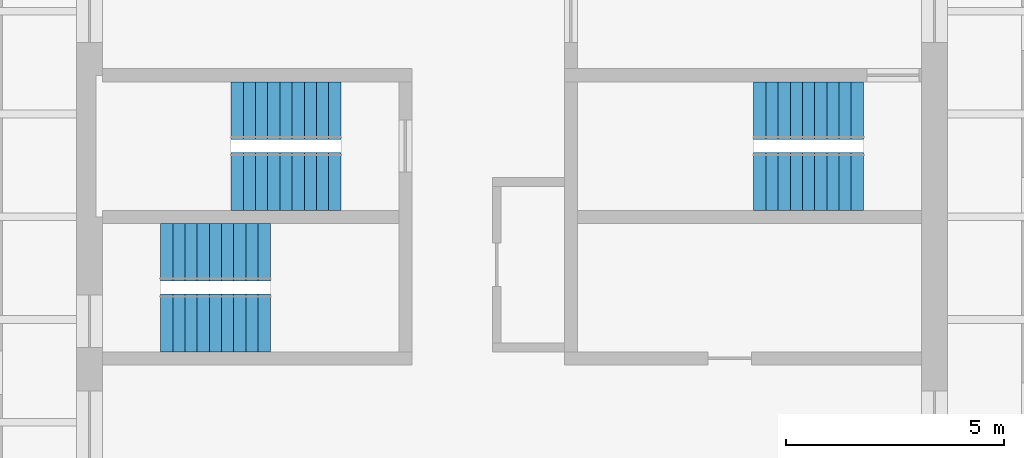
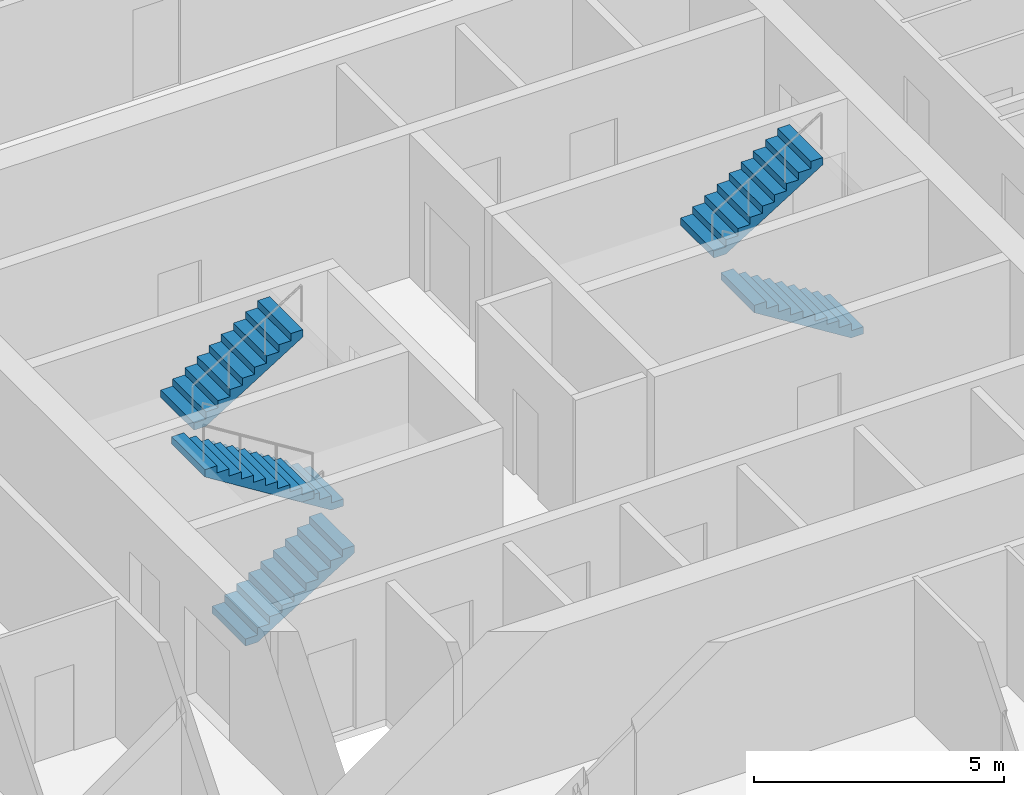
# One storey, part 8 of 9: 6 stair flights, 3 elements without a shape of their own.
"""IFC4 building model written with IfcOpenShell, lengths in metres."""

from ifc_helpers import new_model, si_unit, direction, frame, origin, place, context, subcontext, project, spatial, polyline, outline, extrude, material, type_object, element, aggregate, save


model = new_model("IFC4")

# Units and contexts
model_context = context("Model", 3, precision=1e-05, world=origin(), true_north=direction((0.0, 1.0)))
body_context = subcontext(model_context, "Body", "Model", "MODEL_VIEW")
ifc_project = project(units=[si_unit("LENGTHUNIT", "METRE"), si_unit("AREAUNIT", "SQUARE_METRE"), si_unit("VOLUMEUNIT", "CUBIC_METRE"), si_unit("PLANEANGLEUNIT", "RADIAN"), si_unit("MASSUNIT", "GRAM", prefix="KILO")], contexts=[model_context])

# Site, building, storey
site_placement = place(None, origin())
site = spatial("IfcSite", under=ifc_project, at=site_placement, CompositionType="ELEMENT")
building_placement = place(site_placement, origin())
building = spatial("IfcBuilding", under=site, at=building_placement, Name="Turquesa Mirador Hotel Tower", CompositionType="ELEMENT")
storey_placement = place(building_placement, frame((0.0, 0.0, 210.800048828125)))
storey = spatial("IfcBuildingStorey", under=building, at=storey_placement, Name="L57", CompositionType="ELEMENT", Elevation=210.800048828125)

# Stair, stair flights
ifc_material_1 = material(Name="Concrete C35/45", Category="concrete")
stair_type = type_object("IfcStairType", Name="ESCAPE STAIR CORE", PredefinedType="HALF_TURN_STAIR", material=ifc_material_1)
stair_1_placement = place(storey_placement, origin())
stair_1 = element("IfcStair", 1, at=stair_1_placement, inside=storey, type_object=stair_type, Name="Stair ST1 L57 to L58", PredefinedType="HALF_TURN_STAIR")
ifc_material_2 = material(Name="Concrete C35/45 precast flight", Category="concrete")
stair_flight_type = type_object("IfcStairFlightType", Name="STAIR FLIGHT 1330", PredefinedType="STRAIGHT", material=ifc_material_2)
stair_flight_1_placement = place(storey_placement, frame((51.070068359375, 45.81494140625, 0.0), z_axis=(0.0, 0.0, 1.0), x_axis=(-1.0, 0.0, 0.0)))
stair_flight_1 = element("IfcStairFlight", 2, at=stair_flight_1_placement, type_object=stair_flight_type, Name="ST1 flight 1", NumberOfRisers=10, NumberOfTreads=9, PredefinedType="STRAIGHT", RiserHeight=0.175, TreadLength=0.28, context=body_context, shape_type="SweptSolid", body=[
    extrude(outline(polyline([(0.0, 0.0), (0.0, 0.175048828125), (0.280029296875, 0.175048828125), (0.280029296875, 0.35009765625), (0.56005859375, 0.35009765625), (0.56005859375, 0.52490234375), (0.840087890625, 0.52490234375), (0.840087890625, 0.699951171875), (1.1201171875, 0.699951171875), (1.1201171875, 0.875), (1.39990234375, 0.875), (1.39990234375, 1.050048828125), (1.679931640625, 1.050048828125), (1.679931640625, 1.22509765625), (1.9599609375, 1.22509765625), (1.9599609375, 1.39990234375), (2.239990234375, 1.39990234375), (2.239990234375, 1.574951171875), (2.52001953125, 1.574951171875), (2.52001953125, 1.75), (2.52001953125, 1.398193359375), (0.28271484375, 0.0), (0.0, 0.0)])), frame((0.0, 0.6650390625, 0.0), z_axis=(0.0, -1.0, 0.0), x_axis=(1.0, 0.0, 0.0)), (0.0, 0.0, 1.0), 1.330078125),
])
stair_flight_2_placement = place(storey_placement, frame((48.550048828125, 47.43505859375, 1.75), z_axis=(0.0, 0.0, 1.0), x_axis=(1.0, 0.0, 0.0)))
stair_flight_2 = element("IfcStairFlight", 3, at=stair_flight_2_placement, type_object=stair_flight_type, Name="ST1 flight 2", NumberOfRisers=10, NumberOfTreads=9, PredefinedType="STRAIGHT", RiserHeight=0.175, TreadLength=0.28, context=body_context, shape_type="SweptSolid", body=[
    extrude(outline(polyline([(0.0, 0.0), (0.0, 0.175048828125), (0.280029296875, 0.175048828125), (0.280029296875, 0.35009765625), (0.56005859375, 0.35009765625), (0.56005859375, 0.52490234375), (0.840087890625, 0.52490234375), (0.840087890625, 0.699951171875), (1.1201171875, 0.699951171875), (1.1201171875, 0.875), (1.39990234375, 0.875), (1.39990234375, 1.050048828125), (1.679931640625, 1.050048828125), (1.679931640625, 1.22509765625), (1.9599609375, 1.22509765625), (1.9599609375, 1.39990234375), (2.239990234375, 1.39990234375), (2.239990234375, 1.574951171875), (2.52001953125, 1.574951171875), (2.52001953125, 1.75), (2.52001953125, 1.398193359375), (0.28271484375, 0.0), (0.0, 0.0)])), frame((0.0, 0.6650390625, 0.0), z_axis=(0.0, -1.0, 0.0), x_axis=(1.0, 0.0, 0.0)), (0.0, 0.0, 1.0), 1.330078125),
])
aggregate(stair_1, [stair_flight_1, stair_flight_2])

stair_2_placement = place(storey_placement, origin())
stair_2 = element("IfcStair", 4, at=stair_2_placement, inside=storey, type_object=stair_type, Name="Stair ST2 L57 to L58", PredefinedType="HALF_TURN_STAIR")
stair_flight_3_placement = place(storey_placement, frame((46.929931640625, 42.56494140625, 0.0), z_axis=(0.0, 0.0, 1.0), x_axis=(1.0, 0.0, 0.0)))
stair_flight_3 = element("IfcStairFlight", 5, at=stair_flight_3_placement, type_object=stair_flight_type, Name="ST2 flight 1", NumberOfRisers=10, NumberOfTreads=9, PredefinedType="STRAIGHT", RiserHeight=0.175, TreadLength=0.28, context=body_context, shape_type="SweptSolid", body=[
    extrude(outline(polyline([(0.0, 0.0), (0.0, 0.175048828125), (0.280029296875, 0.175048828125), (0.280029296875, 0.35009765625), (0.56005859375, 0.35009765625), (0.56005859375, 0.52490234375), (0.840087890625, 0.52490234375), (0.840087890625, 0.699951171875), (1.1201171875, 0.699951171875), (1.1201171875, 0.875), (1.39990234375, 0.875), (1.39990234375, 1.050048828125), (1.679931640625, 1.050048828125), (1.679931640625, 1.22509765625), (1.9599609375, 1.22509765625), (1.9599609375, 1.39990234375), (2.239990234375, 1.39990234375), (2.239990234375, 1.574951171875), (2.52001953125, 1.574951171875), (2.52001953125, 1.75), (2.52001953125, 1.398193359375), (0.28271484375, 0.0), (0.0, 0.0)])), frame((0.0, 0.6650390625, 0.0), z_axis=(0.0, -1.0, 0.0), x_axis=(1.0, 0.0, 0.0)), (0.0, 0.0, 1.0), 1.330078125),
])
stair_flight_4_placement = place(storey_placement, frame((49.449951171875, 44.18505859375, 1.75), z_axis=(0.0, 0.0, 1.0), x_axis=(-1.0, 0.0, 0.0)))
stair_flight_4 = element("IfcStairFlight", 6, at=stair_flight_4_placement, type_object=stair_flight_type, Name="ST2 flight 2", NumberOfRisers=10, NumberOfTreads=9, PredefinedType="STRAIGHT", RiserHeight=0.175, TreadLength=0.28, context=body_context, shape_type="SweptSolid", body=[
    extrude(outline(polyline([(0.0, 0.0), (0.0, 0.175048828125), (0.280029296875, 0.175048828125), (0.280029296875, 0.35009765625), (0.56005859375, 0.35009765625), (0.56005859375, 0.52490234375), (0.840087890625, 0.52490234375), (0.840087890625, 0.699951171875), (1.1201171875, 0.699951171875), (1.1201171875, 0.875), (1.39990234375, 0.875), (1.39990234375, 1.050048828125), (1.679931640625, 1.050048828125), (1.679931640625, 1.22509765625), (1.9599609375, 1.22509765625), (1.9599609375, 1.39990234375), (2.239990234375, 1.39990234375), (2.239990234375, 1.574951171875), (2.52001953125, 1.574951171875), (2.52001953125, 1.75), (2.52001953125, 1.398193359375), (0.28271484375, 0.0), (0.0, 0.0)])), frame((0.0, 0.6650390625, 0.0), z_axis=(0.0, -1.0, 0.0), x_axis=(1.0, 0.0, 0.0)), (0.0, 0.0, 1.0), 1.330078125),
])
aggregate(stair_2, [stair_flight_3, stair_flight_4])

stair_3_placement = place(storey_placement, origin())
stair_3 = element("IfcStair", 7, at=stair_3_placement, inside=storey, type_object=stair_type, Name="Stair ST3 L57 to L58", PredefinedType="HALF_TURN_STAIR")
stair_flight_5_placement = place(storey_placement, frame((63.070068359375, 45.81494140625, 0.0), z_axis=(0.0, 0.0, 1.0), x_axis=(-1.0, 0.0, 0.0)))
stair_flight_5 = element("IfcStairFlight", 8, at=stair_flight_5_placement, type_object=stair_flight_type, Name="ST3 flight 1", NumberOfRisers=10, NumberOfTreads=9, PredefinedType="STRAIGHT", RiserHeight=0.175, TreadLength=0.28, context=body_context, shape_type="SweptSolid", body=[
    extrude(outline(polyline([(0.0, 0.0), (0.0, 0.175048828125), (0.280029296875, 0.175048828125), (0.280029296875, 0.35009765625), (0.56005859375, 0.35009765625), (0.56005859375, 0.52490234375), (0.840087890625, 0.52490234375), (0.840087890625, 0.699951171875), (1.1201171875, 0.699951171875), (1.1201171875, 0.875), (1.39990234375, 0.875), (1.39990234375, 1.050048828125), (1.679931640625, 1.050048828125), (1.679931640625, 1.22509765625), (1.9599609375, 1.22509765625), (1.9599609375, 1.39990234375), (2.239990234375, 1.39990234375), (2.239990234375, 1.574951171875), (2.52001953125, 1.574951171875), (2.52001953125, 1.75), (2.52001953125, 1.398193359375), (0.28271484375, 0.0), (0.0, 0.0)])), frame((0.0, 0.6650390625, 0.0), z_axis=(0.0, -1.0, 0.0), x_axis=(1.0, 0.0, 0.0)), (0.0, 0.0, 1.0), 1.330078125),
])
stair_flight_6_placement = place(storey_placement, frame((60.550048828125, 47.43505859375, 1.75), z_axis=(0.0, 0.0, 1.0), x_axis=(1.0, 0.0, 0.0)))
stair_flight_6 = element("IfcStairFlight", 9, at=stair_flight_6_placement, type_object=stair_flight_type, Name="ST3 flight 2", NumberOfRisers=10, NumberOfTreads=9, PredefinedType="STRAIGHT", RiserHeight=0.175, TreadLength=0.28, context=body_context, shape_type="SweptSolid", body=[
    extrude(outline(polyline([(0.0, 0.0), (0.0, 0.175048828125), (0.280029296875, 0.175048828125), (0.280029296875, 0.35009765625), (0.56005859375, 0.35009765625), (0.56005859375, 0.52490234375), (0.840087890625, 0.52490234375), (0.840087890625, 0.699951171875), (1.1201171875, 0.699951171875), (1.1201171875, 0.875), (1.39990234375, 0.875), (1.39990234375, 1.050048828125), (1.679931640625, 1.050048828125), (1.679931640625, 1.22509765625), (1.9599609375, 1.22509765625), (1.9599609375, 1.39990234375), (2.239990234375, 1.39990234375), (2.239990234375, 1.574951171875), (2.52001953125, 1.574951171875), (2.52001953125, 1.75), (2.52001953125, 1.398193359375), (0.28271484375, 0.0), (0.0, 0.0)])), frame((0.0, 0.6650390625, 0.0), z_axis=(0.0, -1.0, 0.0), x_axis=(1.0, 0.0, 0.0)), (0.0, 0.0, 1.0), 1.330078125),
])
aggregate(stair_3, [stair_flight_5, stair_flight_6])

save(model, "model.ifc")
